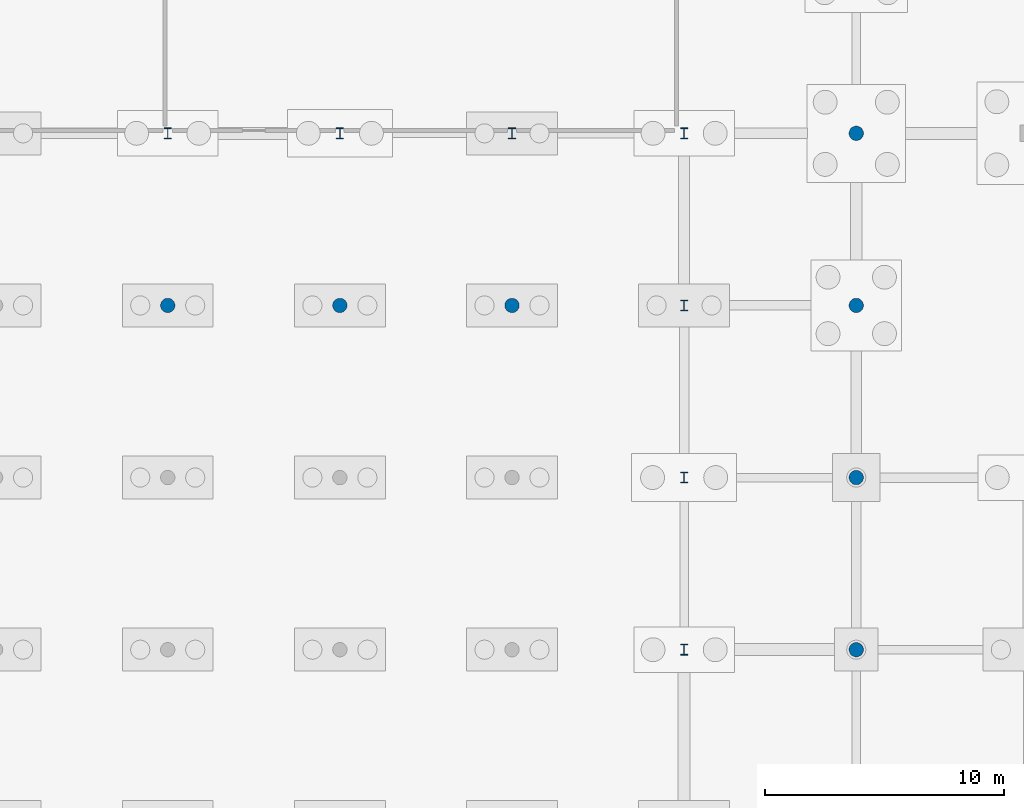
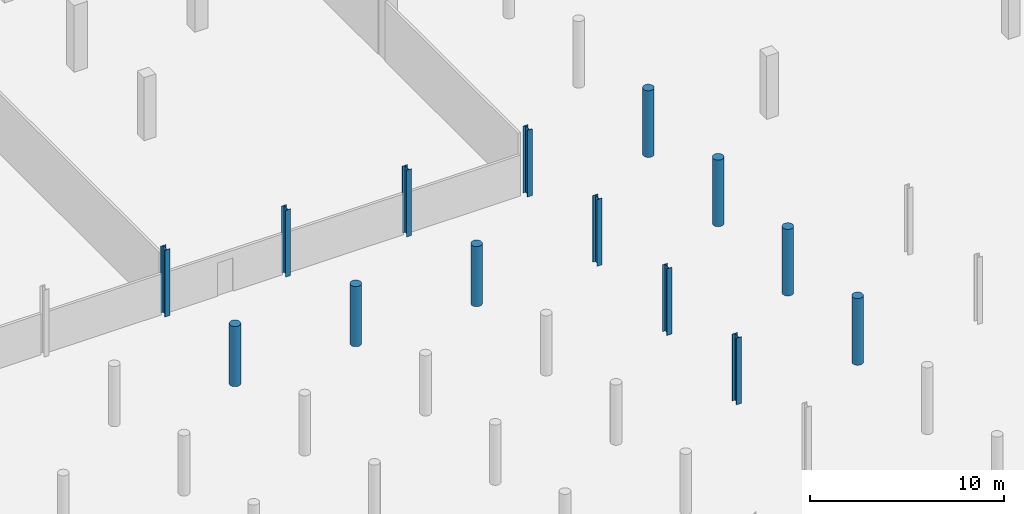
# One storey, part 29 of 56: 14 columns.
"""IFC4 building model written with IfcOpenShell, lengths in metres."""

from ifc_helpers import new_model, si_unit, direction, frame, origin, origin_2d, place, context, subcontext, project, spatial, circle, i_section, extrude, material, material_profile, profile_set, type_object, element, save


model = new_model("IFC4")

# Units and contexts
model_context = context("Model", 3, precision=1e-05, world=origin(), true_north=direction((0.0, 1.0)))
body_context = subcontext(model_context, "Body", "Model", "MODEL_VIEW")
ifc_project = project(units=[si_unit("LENGTHUNIT", "METRE"), si_unit("AREAUNIT", "SQUARE_METRE"), si_unit("VOLUMEUNIT", "CUBIC_METRE"), si_unit("PLANEANGLEUNIT", "RADIAN"), si_unit("MASSUNIT", "GRAM", prefix="KILO")], contexts=[model_context])

# Site, building, storey
site_placement = place(None, origin())
site = spatial("IfcSite", under=ifc_project, at=site_placement, CompositionType="ELEMENT")
building_placement = place(site_placement, origin())
building = spatial("IfcBuilding", under=site, at=building_placement, Name="Suanplinth Sawtooth Commons", CompositionType="ELEMENT")
storey_placement = place(building_placement, frame((0.0, 0.0, -4.199951171875)))
storey = spatial("IfcBuildingStorey", under=building, at=storey_placement, Name="B1", CompositionType="ELEMENT", Elevation=-4.199951171875)

# Columns
ifc_material_1 = material(Name="Concrete C40/50", Category="concrete")
ifc_material_profile_1 = material_profile(ifc_material_1, circle(Radius=0.300048828125, at=origin_2d()), Name="RC-CIRC D600")
ifc_profile_set_1 = profile_set([ifc_material_profile_1], Name="Concrete C40/50")
column_type_1 = type_object("IfcColumnType", Name="C-08", PredefinedType="COLUMN", material=ifc_profile_set_1)
for number, where, z_axis, x_axis, name in (
    (1, (122.39990234375, 64.800048828125, 0.0), (0.0, 0.0, 1.0), (1.0, 0.0, 0.0), "Column B1 18/K"),
    (2, (122.39990234375, 72.0, 0.0), (0.0, 0.0, 1.0), (1.0, 0.0, 0.0), "Column B1 18/L"),
    (3, (122.39990234375, 79.199951171875, 0.0), (0.0, 0.0, 1.0), (1.0, 0.0, 0.0), "Column B1 18/M"),
    (4, (122.39990234375, 86.39990234375, 0.0), (0.0, 0.0, 1.0), (1.0, 0.0, 0.0), "Column B1 18/N"),
):
    element("IfcColumn", number, at=place(storey_placement, frame(where, z_axis=z_axis, x_axis=x_axis)), inside=storey, type_object=column_type_1, Name=name, PredefinedType="COLUMN", context=body_context, shape_type="SweptSolid", body=[
        extrude(circle(Radius=0.300048828125, at=origin_2d()), origin(), (0.0, 0.0, 1.0), 4.199951171875),
    ])
for number, where, z_axis, x_axis, name in (
    (5, (93.60009765625, 79.199951171875, 0.0), (0.0, 0.0, 1.0), (1.0, 0.0, 0.0), "Substructure Column B1 14/M"),
    (6, (100.800048828125, 79.199951171875, 0.0), (0.0, 0.0, 1.0), (1.0, 0.0, 0.0), "Substructure Column B1 15/M"),
    (7, (108.0, 79.199951171875, 0.0), (0.0, 0.0, 1.0), (1.0, 0.0, 0.0), "Substructure Column B1 16/M"),
):
    element("IfcColumn", number, at=place(storey_placement, frame(where, z_axis=z_axis, x_axis=x_axis)), inside=storey, type_object=column_type_1, Name=name, PredefinedType="COLUMN", context=body_context, shape_type="SweptSolid", body=[
        extrude(circle(Radius=0.300048828125, at=origin_2d()), origin(), (0.0, 0.0, 1.0), 3.7900390625),
    ])
ifc_material_2 = material(Name="Steel S355JR", Category="steel")
ifc_material_profile_2 = material_profile(ifc_material_2, i_section(OverallWidth=0.300048828125, OverallDepth=0.449951171875, WebThickness=0.013916015625, FlangeThickness=0.02587890625, at=origin_2d()), Name="HEB 450")
ifc_profile_set_2 = profile_set([ifc_material_profile_2], Name="Steel S355JR")
column_type_2 = type_object("IfcColumnType", Name="C-09", PredefinedType="COLUMN", material=ifc_profile_set_2)
for number, where, z_axis, x_axis, name in (
    (8, (93.60009765625, 86.39990234375, 0.0), (0.0, 0.0, 1.0), (1.0, 0.0, 0.0), "Column B1 14/N"),
    (9, (100.800048828125, 86.39990234375, 0.0), (0.0, 0.0, 1.0), (1.0, 0.0, 0.0), "Column B1 15/N"),
    (10, (108.0, 86.39990234375, 0.0), (0.0, 0.0, 1.0), (1.0, 0.0, 0.0), "Column B1 16/N"),
    (11, (115.199951171875, 64.800048828125, 0.0), (0.0, 0.0, 1.0), (1.0, 0.0, 0.0), "Column B1 17/K"),
    (12, (115.199951171875, 72.0, 0.0), (0.0, 0.0, 1.0), (1.0, 0.0, 0.0), "Column B1 17/L"),
    (13, (115.199951171875, 79.199951171875, 0.0), (0.0, 0.0, 1.0), (1.0, 0.0, 0.0), "Column B1 17/M"),
    (14, (115.199951171875, 86.39990234375, 0.0), (0.0, 0.0, 1.0), (1.0, 0.0, 0.0), "Column B1 17/N"),
):
    element("IfcColumn", number, at=place(storey_placement, frame(where, z_axis=z_axis, x_axis=x_axis)), inside=storey, type_object=column_type_2, Name=name, PredefinedType="COLUMN", context=body_context, shape_type="SweptSolid", body=[
        extrude(i_section(OverallWidth=0.300048828125, OverallDepth=0.449951171875, WebThickness=0.013916015625, FlangeThickness=0.02587890625, at=origin_2d()), origin(), (0.0, 0.0, 1.0), 4.199951171875),
    ])

save(model, "model.ifc")
